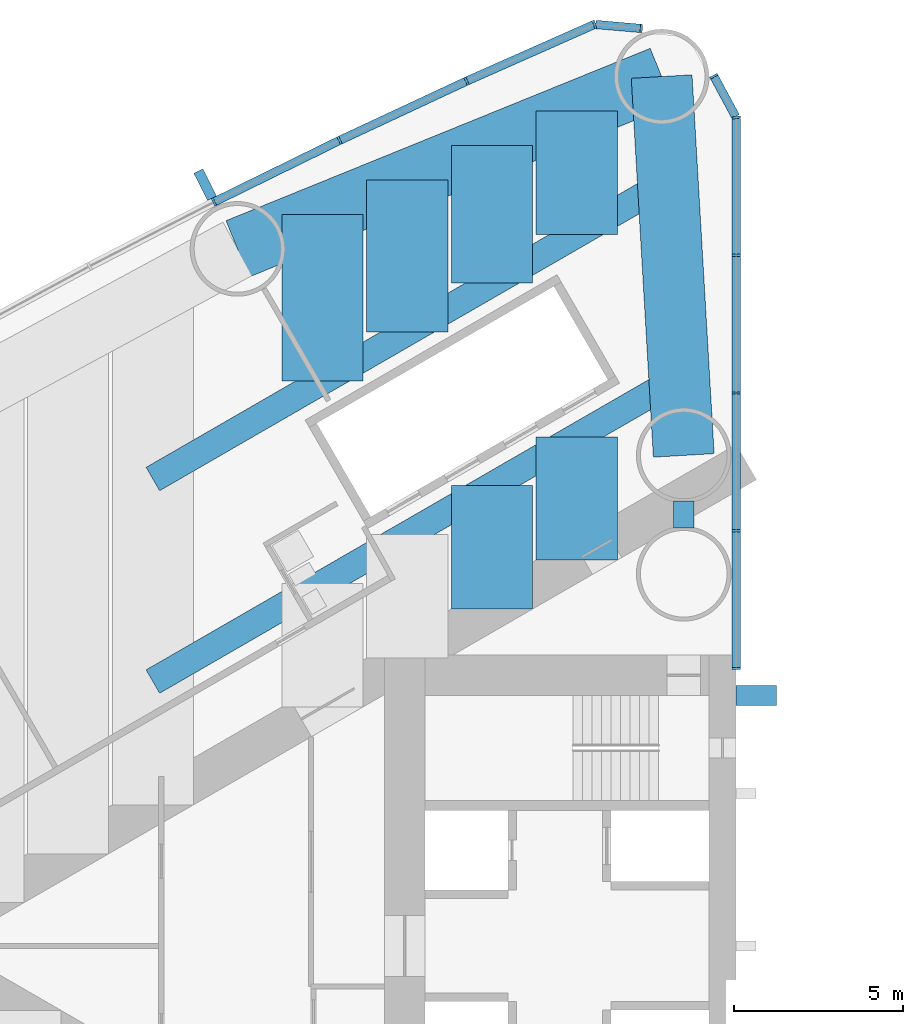
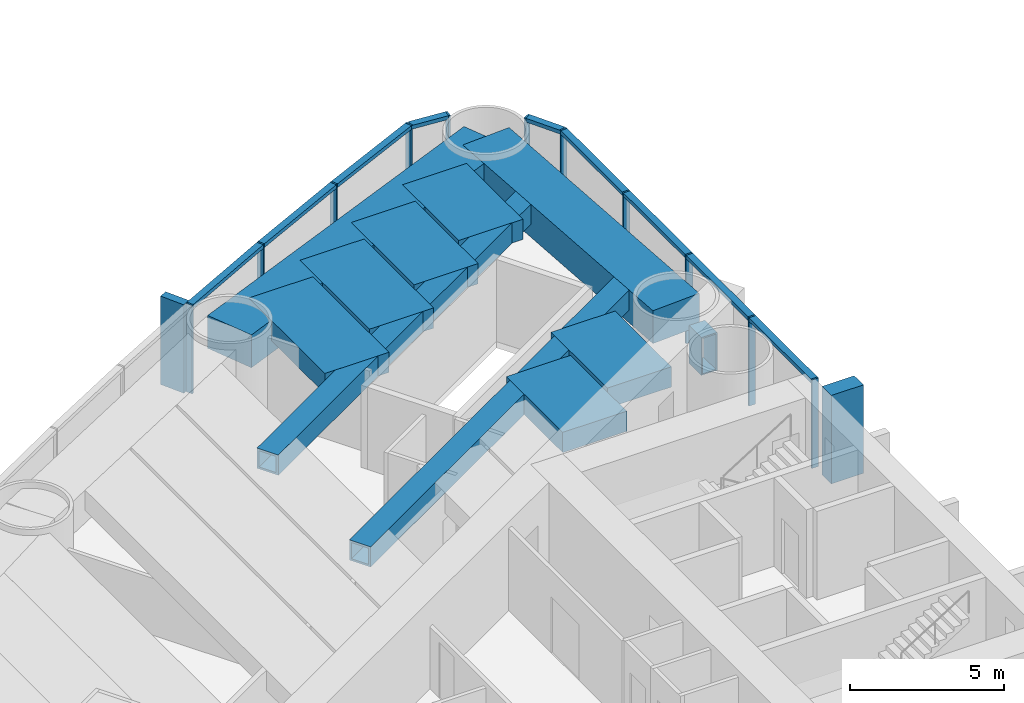
# One storey, part 5 of 18: 22 members, 11 beams, 2 elements without a shape of their own.
"""IFC4 building model written with IfcOpenShell, lengths in metres."""

from ifc_helpers import new_model, si_unit, direction, frame, origin, origin_2d, place, context, subcontext, project, spatial, rectangle, hollow_rectangle, extrude, material, material_profile, profile_set, type_object, element, aggregate, save


model = new_model("IFC4")

# Units and contexts
model_context = context("Model", 3, precision=1e-05, world=origin(), true_north=direction((0.0, 1.0)))
body_context = subcontext(model_context, "Body", "Model", "MODEL_VIEW")
ifc_project = project(units=[si_unit("LENGTHUNIT", "METRE"), si_unit("AREAUNIT", "SQUARE_METRE"), si_unit("VOLUMEUNIT", "CUBIC_METRE"), si_unit("PLANEANGLEUNIT", "RADIAN"), si_unit("MASSUNIT", "GRAM", prefix="KILO")], contexts=[model_context])

# Site, building, storey
site_placement = place(None, origin())
site = spatial("IfcSite", under=ifc_project, at=site_placement, CompositionType="ELEMENT")
building_placement = place(site_placement, origin())
building = spatial("IfcBuilding", under=site, at=building_placement, Name="Lancet Gate Hotel", CompositionType="ELEMENT")
storey_placement = place(building_placement, frame((0.0, 0.0, 49.5)))
storey = spatial("IfcBuildingStorey", under=building, at=storey_placement, Name="L12", CompositionType="ELEMENT", Elevation=49.5)

# Curtain wall, members
ifc_material_1 = material(Name="Aluminium curtain wall", Category="aluminium")
curtain_wall_type = type_object("IfcCurtainWallType", Name="Tower unitised curtain wall", PredefinedType="USERDEFINED", material=ifc_material_1)
curtain_wall_1_placement = place(storey_placement, origin())
curtain_wall_1 = element("IfcCurtainWall", 1, at=curtain_wall_1_placement, inside=storey, type_object=curtain_wall_type, Name="T1 L12 curtain wall 1", ObjectType="UNITISED CURTAIN WALL", PredefinedType="USERDEFINED")
ifc_material_2 = material(Name="Aluminium mullion", Category="aluminium")
ifc_material_profile_1 = material_profile(ifc_material_2, rectangle(XDim=0.06494140625, YDim=0.25, at=origin_2d()), Name="MULLION 65x250")
ifc_profile_set_1 = profile_set([ifc_material_profile_1], Name="Aluminium mullion")
member_type_1 = type_object("IfcMemberType", Name="Aluminium mullion 65x250", PredefinedType="MULLION", material=ifc_profile_set_1)
member_1_placement = place(storey_placement, frame((-27.5, 8.199951171875, 0.0), z_axis=(0.0, 0.0, 1.0), x_axis=(0.0, 1.0, 0.0)))
member_1 = element("IfcMember", 2, at=member_1_placement, type_object=member_type_1, Name="T1 L12 curtain wall 1 mullion 1", PredefinedType="MULLION", context=body_context, shape_type="SweptSolid", body=[
    extrude(rectangle(XDim=0.06494140625, YDim=0.25, at=origin_2d()), origin(), (0.0, 0.0, 1.0), 3.5),
])
member_2_placement = place(storey_placement, frame((-27.5, 12.272705078125, 0.0), z_axis=(0.0, 0.0, 1.0), x_axis=(0.0, 1.0, 0.0)))
member_2 = element("IfcMember", 3, at=member_2_placement, type_object=member_type_1, Name="T1 L12 curtain wall 1 mullion 2", PredefinedType="MULLION", context=body_context, shape_type="SweptSolid", body=[
    extrude(rectangle(XDim=0.06494140625, YDim=0.25, at=origin_2d()), origin(), (0.0, 0.0, 1.0), 3.5),
])
member_3_placement = place(storey_placement, frame((-27.5, 16.345703125, 0.0), z_axis=(0.0, 0.0, 1.0), x_axis=(0.0, 1.0, 0.0)))
member_3 = element("IfcMember", 4, at=member_3_placement, type_object=member_type_1, Name="T1 L12 curtain wall 1 mullion 3", PredefinedType="MULLION", context=body_context, shape_type="SweptSolid", body=[
    extrude(rectangle(XDim=0.06494140625, YDim=0.25, at=origin_2d()), origin(), (0.0, 0.0, 1.0), 3.5),
])
member_4_placement = place(storey_placement, frame((-27.5, 20.41845703125, 0.0), z_axis=(0.0, 0.0, 1.0), x_axis=(0.0, 1.0, 0.0)))
member_4 = element("IfcMember", 5, at=member_4_placement, type_object=member_type_1, Name="T1 L12 curtain wall 1 mullion 4", PredefinedType="MULLION", context=body_context, shape_type="SweptSolid", body=[
    extrude(rectangle(XDim=0.06494140625, YDim=0.25, at=origin_2d()), origin(), (0.0, 0.0, 1.0), 3.5),
])
member_5_placement = place(storey_placement, frame((-27.5, 24.4912109375, 0.0), z_axis=(0.0, 0.0, 1.0), x_axis=(-0.123482502544, 0.992346749662, 0.0)))
member_5 = element("IfcMember", 6, at=member_5_placement, type_object=member_type_1, Name="T1 L12 curtain wall 1 mullion 5", PredefinedType="MULLION", context=body_context, shape_type="SweptSolid", body=[
    extrude(rectangle(XDim=0.06494140625, YDim=0.25, at=origin_2d()), origin(), (0.0, 0.0, 1.0), 3.5),
])
member_6_placement = place(storey_placement, frame((-28.158935546875, 25.712890625, 0.0), z_axis=(0.0, 0.0, 1.0), x_axis=(-0.474631040972, 0.880184852714, 0.0)))
member_6 = element("IfcMember", 7, at=member_6_placement, type_object=member_type_1, Name="T1 L12 curtain wall 1 mullion 6", PredefinedType="MULLION", context=body_context, shape_type="SweptSolid", body=[
    extrude(rectangle(XDim=0.06494140625, YDim=0.25, at=origin_2d()), origin(), (0.0, 0.0, 1.0), 3.5),
])

curtain_wall_2_placement = place(storey_placement, origin())
curtain_wall_2 = element("IfcCurtainWall", 8, at=curtain_wall_2_placement, inside=storey, type_object=curtain_wall_type, Name="T1 L12 curtain wall 2", ObjectType="UNITISED CURTAIN WALL", PredefinedType="USERDEFINED")
member_7_placement = place(storey_placement, frame((-30.3046875, 27.124755859375, 0.0), z_axis=(0.0, 0.0, 1.0), x_axis=(-0.99620380374, 0.087051602022, 0.0)))
member_7 = element("IfcMember", 9, at=member_7_placement, type_object=member_type_1, Name="T1 L12 curtain wall 2 mullion 1", PredefinedType="MULLION", context=body_context, shape_type="SweptSolid", body=[
    extrude(rectangle(XDim=0.06494140625, YDim=0.25, at=origin_2d()), origin(), (0.0, 0.0, 1.0), 3.5),
])
member_8_placement = place(storey_placement, frame((-31.688720703125, 27.24560546875, 0.0), z_axis=(0.0, 0.0, 1.0), x_axis=(-0.957524354695, -0.288352406209, 0.0)))
member_8 = element("IfcMember", 10, at=member_8_placement, type_object=member_type_1, Name="T1 L12 curtain wall 2 mullion 2", PredefinedType="MULLION", context=body_context, shape_type="SweptSolid", body=[
    extrude(rectangle(XDim=0.06494140625, YDim=0.25, at=origin_2d()), origin(), (0.0, 0.0, 1.0), 3.5),
])
member_9_placement = place(storey_placement, frame((-35.473876953125, 25.568115234375, 0.0), z_axis=(0.0, 0.0, 1.0), x_axis=(-0.910219680212, -0.414125746308, 0.0)))
member_9 = element("IfcMember", 11, at=member_9_placement, type_object=member_type_1, Name="T1 L12 curtain wall 2 mullion 3", PredefinedType="MULLION", context=body_context, shape_type="SweptSolid", body=[
    extrude(rectangle(XDim=0.06494140625, YDim=0.25, at=origin_2d()), origin(), (0.0, 0.0, 1.0), 3.5),
])
member_10_placement = place(storey_placement, frame((-39.225341796875, 23.816650390625, 0.0), z_axis=(0.0, 0.0, 1.0), x_axis=(-0.901928838337, -0.431884672772, 0.0)))
member_10 = element("IfcMember", 12, at=member_10_placement, type_object=member_type_1, Name="T1 L12 curtain wall 2 mullion 4", PredefinedType="MULLION", context=body_context, shape_type="SweptSolid", body=[
    extrude(rectangle(XDim=0.06494140625, YDim=0.25, at=origin_2d()), origin(), (0.0, 0.0, 1.0), 3.5),
])
member_11_placement = place(storey_placement, frame((-42.94189453125, 21.991943359375, 0.0), z_axis=(0.0, 0.0, 1.0), x_axis=(-0.893291549794, -0.449477704748, 0.0)))
member_11 = element("IfcMember", 13, at=member_11_placement, type_object=member_type_1, Name="T1 L12 curtain wall 2 mullion 5", PredefinedType="MULLION", context=body_context, shape_type="SweptSolid", body=[
    extrude(rectangle(XDim=0.06494140625, YDim=0.25, at=origin_2d()), origin(), (0.0, 0.0, 1.0), 3.5),
])

# Member
ifc_material_3 = material(Name="Aluminium transom", Category="aluminium")
ifc_material_profile_2 = material_profile(ifc_material_3, rectangle(XDim=0.25, YDim=0.14990234375, at=origin_2d()), Name="TRANSOM 250x150")
ifc_profile_set_2 = profile_set([ifc_material_profile_2], Name="Aluminium transom")
member_type_2 = type_object("IfcMemberType", Name="Aluminium transom 250x150", PredefinedType="USERDEFINED", material=ifc_profile_set_2)
member_12_placement = place(storey_placement, frame((-27.5, 8.232421875, 3.425048828125), z_axis=(0.0, 1.0, 0.0), x_axis=(-1.0, 0.0, 0.0)))
member_12 = element("IfcMember", 14, at=member_12_placement, type_object=member_type_2, Name="T1 L12 curtain wall 1 transom 1", ObjectType="TRANSOM", PredefinedType="USERDEFINED", context=body_context, shape_type="SweptSolid", body=[
    extrude(rectangle(XDim=0.25, YDim=0.14990234375, at=origin_2d()), origin(), (0.0, 0.0, 1.0), 4.0078125),
])

member_13_placement = place(storey_placement, frame((-27.5, 12.30517578125, 3.425048828125), z_axis=(0.0, 1.0, 0.0), x_axis=(-1.0, 0.0, 0.0)))
member_13 = element("IfcMember", 15, at=member_13_placement, type_object=member_type_2, Name="T1 L12 curtain wall 1 transom 2", ObjectType="TRANSOM", PredefinedType="USERDEFINED", context=body_context, shape_type="SweptSolid", body=[
    extrude(rectangle(XDim=0.25, YDim=0.14990234375, at=origin_2d()), origin(), (0.0, 0.0, 1.0), 4.0078125),
])

member_14_placement = place(storey_placement, frame((-27.5, 16.378173828125, 3.425048828125), z_axis=(0.0, 1.0, 0.0), x_axis=(-1.0, 0.0, 0.0)))
member_14 = element("IfcMember", 16, at=member_14_placement, type_object=member_type_2, Name="T1 L12 curtain wall 1 transom 3", ObjectType="TRANSOM", PredefinedType="USERDEFINED", context=body_context, shape_type="SweptSolid", body=[
    extrude(rectangle(XDim=0.25, YDim=0.14990234375, at=origin_2d()), origin(), (0.0, 0.0, 1.0), 4.0078125),
])

member_15_placement = place(storey_placement, frame((-27.5, 20.450927734375, 3.425048828125), z_axis=(0.0, 1.0, 0.0), x_axis=(-1.0, 0.0, 0.0)))
member_15 = element("IfcMember", 17, at=member_15_placement, type_object=member_type_2, Name="T1 L12 curtain wall 1 transom 4", ObjectType="TRANSOM", PredefinedType="USERDEFINED", context=body_context, shape_type="SweptSolid", body=[
    extrude(rectangle(XDim=0.25, YDim=0.14990234375, at=origin_2d()), origin(), (0.0, 0.0, 1.0), 4.0078125),
])

member_16_placement = place(storey_placement, frame((-27.515380859375, 24.519775390625, 3.425048828125), z_axis=(-0.474605926905, 0.880198394765, 0.0), x_axis=(-0.880198394765, -0.474605926905, 0.0)))
member_16 = element("IfcMember", 18, at=member_16_placement, type_object=member_type_2, Name="T1 L12 curtain wall 1 transom 5", ObjectType="TRANSOM", PredefinedType="USERDEFINED", context=body_context, shape_type="SweptSolid", body=[
    extrude(rectangle(XDim=0.25, YDim=0.14990234375, at=origin_2d()), origin(), (0.0, 0.0, 1.0), 1.322998046875),
])

aggregate(curtain_wall_1, [member_1, member_2, member_3, member_4, member_5, member_6, member_12, member_13, member_14, member_15, member_16])

member_17_placement = place(storey_placement, frame((-30.337158203125, 27.127685546875, 3.425048828125), z_axis=(-0.99620591587, 0.087027427779, 0.0), x_axis=(-0.087027427779, -0.99620591587, 0.0)))
member_17 = element("IfcMember", 19, at=member_17_placement, type_object=member_type_2, Name="T1 L12 curtain wall 2 transom 1", ObjectType="TRANSOM", PredefinedType="USERDEFINED", context=body_context, shape_type="SweptSolid", body=[
    extrude(rectangle(XDim=0.25, YDim=0.14990234375, at=origin_2d()), origin(), (0.0, 0.0, 1.0), 1.32421875),
])

member_18_placement = place(storey_placement, frame((-31.71826171875, 27.232421875, 3.425048828125), z_axis=(-0.914248281954, -0.405154389022, 0.0), x_axis=(0.405154389022, -0.914248281954, 0.0)))
member_18 = element("IfcMember", 20, at=member_18_placement, type_object=member_type_2, Name="T1 L12 curtain wall 2 transom 2", ObjectType="TRANSOM", PredefinedType="USERDEFINED", context=body_context, shape_type="SweptSolid", body=[
    extrude(rectangle(XDim=0.25, YDim=0.14990234375, at=origin_2d()), origin(), (0.0, 0.0, 1.0), 4.0751953125),
])

member_19_placement = place(storey_placement, frame((-35.503173828125, 25.554443359375, 3.425048828125), z_axis=(-0.906109667261, -0.423042871228, 0.0), x_axis=(0.423042871228, -0.906109667261, 0.0)))
member_19 = element("IfcMember", 21, at=member_19_placement, type_object=member_type_2, Name="T1 L12 curtain wall 2 transom 3", ObjectType="TRANSOM", PredefinedType="USERDEFINED", context=body_context, shape_type="SweptSolid", body=[
    extrude(rectangle(XDim=0.25, YDim=0.14990234375, at=origin_2d()), origin(), (0.0, 0.0, 1.0), 4.075439453125),
])

member_20_placement = place(storey_placement, frame((-39.254638671875, 23.80224609375, 3.425048828125), z_axis=(-0.897662439958, -0.440683723194, 0.0), x_axis=(0.440683723194, -0.897662439958, 0.0)))
member_20 = element("IfcMember", 22, at=member_20_placement, type_object=member_type_2, Name="T1 L12 curtain wall 2 transom 4", ObjectType="TRANSOM", PredefinedType="USERDEFINED", context=body_context, shape_type="SweptSolid", body=[
    extrude(rectangle(XDim=0.25, YDim=0.14990234375, at=origin_2d()), origin(), (0.0, 0.0, 1.0), 4.0751953125),
])

# Beams
ifc_material_4 = material(Name="Concrete C50/60", Category="concrete")
ifc_material_profile_3 = material_profile(ifc_material_4, rectangle(XDim=1.800048828125, YDim=1.300048828125, at=origin_2d()), Name="RC 1800x1300")
ifc_profile_set_3 = profile_set([ifc_material_profile_3], Name="Concrete C50/60")
beam_type_1 = type_object("IfcBeamType", Name="Edge beam RC 1800x1300", PredefinedType="SPANDREL", material=ifc_profile_set_3)
beam_1_placement = place(storey_placement, frame((-29.703369140625, 25.70263671875, 2.60009765625), z_axis=(-0.926463236197, -0.376385270667, 0.0), x_axis=(0.376385270667, -0.926463236197, 0.0)))
element("IfcBeam", 23, at=beam_1_placement, inside=storey, type_object=beam_type_1, Name="T1 edge beam EB1 L12", PredefinedType="SPANDREL", context=body_context, shape_type="SweptSolid", body=[
    extrude(rectangle(XDim=1.800048828125, YDim=1.300048828125, at=origin_2d()), origin(), (0.0, 0.0, 1.0), 13.537353515625),
])
beam_2_placement = place(storey_placement, frame((-29.703369140625, 25.70263671875, 2.60009765625), z_axis=(0.058219521912, -0.998303805096, 0.0), x_axis=(0.998303805096, 0.058219521912, 0.0)))
element("IfcBeam", 24, at=beam_2_placement, inside=storey, type_object=beam_type_1, Name="T1 edge beam EB1 L12", PredefinedType="SPANDREL", context=body_context, shape_type="SweptSolid", body=[
    extrude(rectangle(XDim=1.800048828125, YDim=1.300048828125, at=origin_2d()), origin(), (0.0, 0.0, 1.0), 11.2216796875),
])

# Member
ifc_material_5 = material(Name="Concrete C60/75", Category="concrete")
ifc_material_profile_4 = material_profile(ifc_material_5, rectangle(XDim=0.60009765625, YDim=1.199951171875, at=origin_2d()), Name="FIN 600x1200")
ifc_profile_set_4 = profile_set([ifc_material_profile_4], Name="Concrete C60/75")
member_type_3 = type_object("IfcMemberType", Name="Exposed concrete buttress pilaster 600x1200", PredefinedType="USERDEFINED", material=ifc_profile_set_4)
member_21_placement = place(storey_placement, frame((-26.909912109375, 7.39990234375, 0.0), z_axis=(0.0, 0.0, 1.0), x_axis=(0.0, 1.0, 0.0)))
element("IfcMember", 25, at=member_21_placement, inside=storey, type_object=member_type_3, Name="T1 buttress pilaster S L12", ObjectType="FIN", PredefinedType="USERDEFINED", context=body_context, shape_type="SweptSolid", body=[
    extrude(rectangle(XDim=0.60009765625, YDim=1.199951171875, at=origin_2d()), origin(), (0.0, 0.0, 1.0), 3.5),
])

ifc_material_6 = material(Name="Precast concrete C50/60", Category="concrete")
ifc_material_profile_5 = material_profile(ifc_material_6, rectangle(XDim=0.300048828125, YDim=0.89990234375, at=origin_2d()), Name="FIN 300x900")
ifc_profile_set_5 = profile_set([ifc_material_profile_5], Name="Precast concrete C50/60")
member_type_4 = type_object("IfcMemberType", Name="Exposed concrete fin 300x900", PredefinedType="USERDEFINED", material=ifc_profile_set_5)
member_22_placement = place(storey_placement, frame((-43.200439453125, 22.505615234375, 0.0), z_axis=(0.0, 0.0, 1.0), x_axis=(-0.893291549794, -0.449477704748, 0.0)))
member_22 = element("IfcMember", 26, at=member_22_placement, type_object=member_type_4, Name="T1 L12 curtain wall 2 fin 5", ObjectType="FIN", PredefinedType="USERDEFINED", context=body_context, shape_type="SweptSolid", body=[
    extrude(rectangle(XDim=0.300048828125, YDim=0.89990234375, at=origin_2d()), origin(), (0.0, 0.0, 1.0), 3.5),
])

aggregate(curtain_wall_2, [member_7, member_8, member_9, member_10, member_11, member_22, member_17, member_18, member_19, member_20])

# Beams
ifc_material_7 = material(Name="Concrete C50/60", Category="concrete")
ifc_material_profile_6 = material_profile(ifc_material_7, rectangle(XDim=2.39990234375, YDim=0.800048828125, at=origin_2d()), Name="RC 2400x800")
ifc_profile_set_6 = profile_set([ifc_material_profile_6], Name="Concrete C50/60")
beam_type_2 = type_object("IfcBeamType", Name="Floor beam RC 2400x800", PredefinedType="BEAM", material=ifc_profile_set_6)
beam_3_placement = place(storey_placement, frame((-32.213623046875, 24.682861328125, 2.85009765625), z_axis=(0.0, -1.0, 0.0), x_axis=(1.0, 0.0, 0.0)))
element("IfcBeam", 27, at=beam_3_placement, inside=storey, type_object=beam_type_2, Name="T1 floor beam F02SA L12", PredefinedType="BEAM", context=body_context, shape_type="SweptSolid", body=[
    extrude(rectangle(XDim=2.39990234375, YDim=0.800048828125, at=origin_2d()), origin(), (0.0, 0.0, 1.0), 3.643798828125),
])
beam_4_placement = place(storey_placement, frame((-32.213623046875, 15.051025390625, 2.85009765625), z_axis=(0.0, -1.0, 0.0), x_axis=(1.0, 0.0, 0.0)))
element("IfcBeam", 28, at=beam_4_placement, inside=storey, type_object=beam_type_2, Name="T1 floor beam F02SB L12", PredefinedType="BEAM", context=body_context, shape_type="SweptSolid", body=[
    extrude(rectangle(XDim=2.39990234375, YDim=0.800048828125, at=origin_2d()), origin(), (0.0, 0.0, 1.0), 3.645751953125),
])
beam_5_placement = place(storey_placement, frame((-34.720458984375, 23.664306640625, 2.85009765625), z_axis=(0.0, -1.0, 0.0), x_axis=(1.0, 0.0, 0.0)))
element("IfcBeam", 29, at=beam_5_placement, inside=storey, type_object=beam_type_2, Name="T1 floor beam F04SA L12", PredefinedType="BEAM", context=body_context, shape_type="SweptSolid", body=[
    extrude(rectangle(XDim=2.39990234375, YDim=0.800048828125, at=origin_2d()), origin(), (0.0, 0.0, 1.0), 4.07275390625),
])
beam_6_placement = place(storey_placement, frame((-34.720458984375, 13.603759765625, 2.85009765625), z_axis=(0.0, -1.0, 0.0), x_axis=(1.0, 0.0, 0.0)))
element("IfcBeam", 30, at=beam_6_placement, inside=storey, type_object=beam_type_2, Name="T1 floor beam F04SB L12", PredefinedType="BEAM", context=body_context, shape_type="SweptSolid", body=[
    extrude(rectangle(XDim=2.39990234375, YDim=0.800048828125, at=origin_2d()), origin(), (0.0, 0.0, 1.0), 3.645751953125),
])
beam_7_placement = place(storey_placement, frame((-37.227294921875, 22.64599609375, 2.85009765625), z_axis=(0.0, -1.0, 0.0), x_axis=(1.0, 0.0, 0.0)))
element("IfcBeam", 31, at=beam_7_placement, inside=storey, type_object=beam_type_2, Name="T1 floor beam F05SA L12", PredefinedType="BEAM", context=body_context, shape_type="SweptSolid", body=[
    extrude(rectangle(XDim=2.39990234375, YDim=0.800048828125, at=origin_2d()), origin(), (0.0, 0.0, 1.0), 4.501953125),
])
beam_8_placement = place(storey_placement, frame((-39.734130859375, 21.627685546875, 2.85009765625), z_axis=(0.0, -1.0, 0.0), x_axis=(1.0, 0.0, 0.0)))
element("IfcBeam", 32, at=beam_8_placement, inside=storey, type_object=beam_type_2, Name="T1 floor beam F07SA L12", PredefinedType="BEAM", context=body_context, shape_type="SweptSolid", body=[
    extrude(rectangle(XDim=2.39990234375, YDim=0.800048828125, at=origin_2d()), origin(), (0.0, 0.0, 1.0), 4.93115234375),
])
ifc_material_8 = material(Name="Steel S460QL", Category="steel")
ifc_material_profile_7 = material_profile(ifc_material_8, hollow_rectangle(XDim=0.60009765625, YDim=1.5, WallThickness=0.050048828125, at=origin_2d()), Name="BOX 1500x600x50")
ifc_profile_set_7 = profile_set([ifc_material_profile_7], Name="Steel S460QL")
beam_type_3 = type_object("IfcBeamType", Name="Inner-face link beam BOX 1500x600x50", PredefinedType="BEAM", material=ifc_profile_set_7)
beam_9_placement = place(storey_placement, frame((-29.050048828125, 13.14990234375, 2.5), z_axis=(0.0, -1.0, 0.0), x_axis=(1.0, 0.0, 0.0)))
element("IfcBeam", 33, at=beam_9_placement, inside=storey, type_object=beam_type_3, Name="T1 inner-face link beam LK1 L12", PredefinedType="BEAM", context=body_context, shape_type="SweptSolid", body=[
    extrude(hollow_rectangle(XDim=0.60009765625, YDim=1.5, WallThickness=0.050048828125, at=origin_2d()), origin(), (0.0, 0.0, 1.0), 0.7998046875),
])
ifc_material_9 = material(Name="Steel S460QL", Category="steel")
ifc_material_profile_8 = material_profile(ifc_material_9, hollow_rectangle(XDim=0.800048828125, YDim=0.800048828125, WallThickness=0.080078125, at=origin_2d()), Name="BOX 800x800x80")
ifc_profile_set_8 = profile_set([ifc_material_profile_8], Name="Steel S460QL")
beam_type_4 = type_object("IfcBeamType", Name="Trimmer beam BOX 800x800x80", PredefinedType="BEAM", material=ifc_profile_set_8)
beam_10_placement = place(storey_placement, frame((-29.18408203125, 16.800537109375, 2.85009765625), z_axis=(-0.865998945969, -0.500045823481, 0.0), x_axis=(0.500045823481, -0.865998945969, 0.0)))
element("IfcBeam", 34, at=beam_10_placement, inside=storey, type_object=beam_type_4, Name="T1 trimmer beam TR01S L12", PredefinedType="BEAM", context=body_context, shape_type="SweptSolid", body=[
    extrude(hollow_rectangle(XDim=0.800048828125, YDim=0.800048828125, WallThickness=0.080078125, at=origin_2d()), origin(), (0.0, 0.0, 1.0), 17.971923828125),
])
beam_11_placement = place(storey_placement, frame((-29.52197265625, 22.59326171875, 2.85009765625), z_axis=(-0.866004054636, -0.500036975987, 0.0), x_axis=(0.500036975987, -0.866004054636, 0.0)))
element("IfcBeam", 35, at=beam_11_placement, inside=storey, type_object=beam_type_4, Name="T1 trimmer beam TR02S L12", PredefinedType="BEAM", context=body_context, shape_type="SweptSolid", body=[
    extrude(hollow_rectangle(XDim=0.800048828125, YDim=0.800048828125, WallThickness=0.080078125, at=origin_2d()), origin(), (0.0, 0.0, 1.0), 17.581787109375),
])

save(model, "model.ifc")
